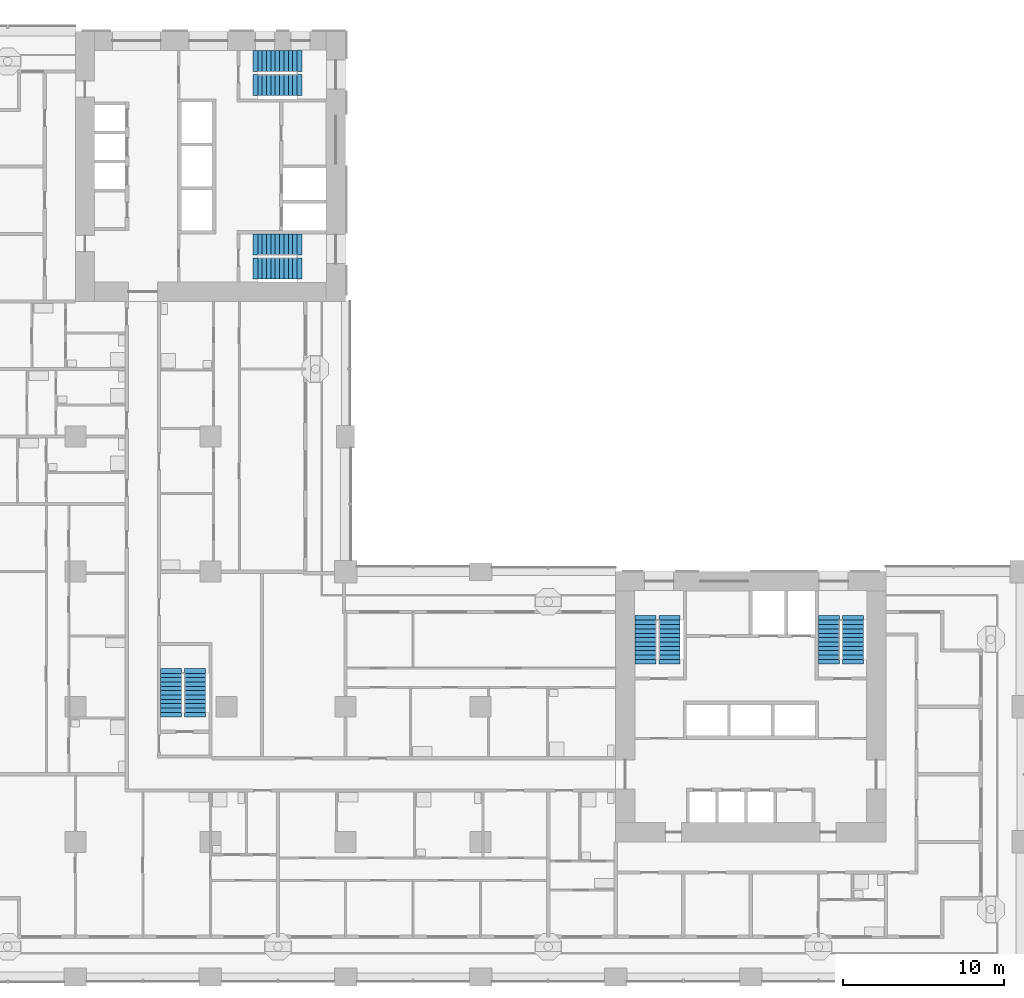
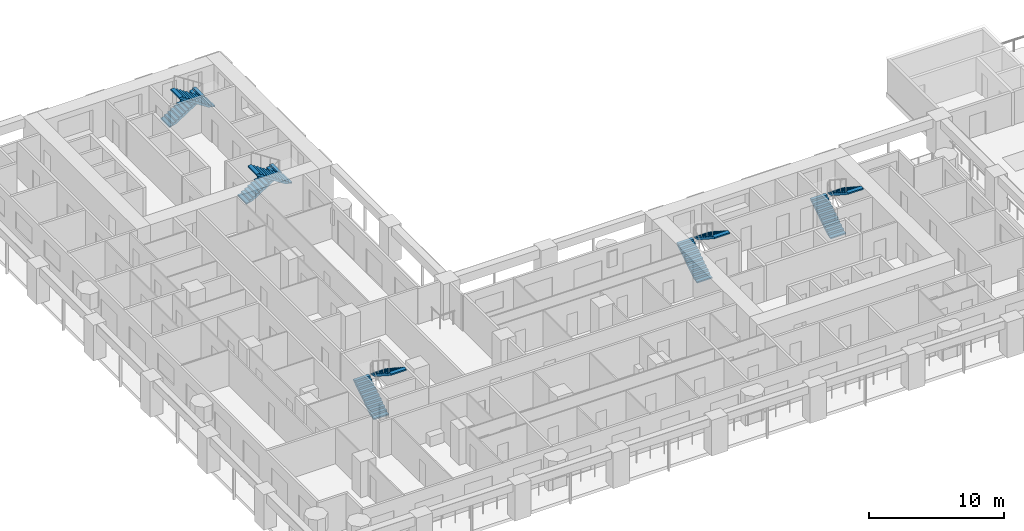
# One storey, part 12 of 23: 10 stair flights, 5 elements without a shape of their own.
"""IFC4 building model written with IfcOpenShell, lengths in metres."""

from ifc_helpers import new_model, si_unit, direction, frame, origin, place, context, subcontext, project, spatial, polyline, outline, extrude, material, type_object, element, aggregate, save


model = new_model("IFC4")

# Units and contexts
model_context = context("Model", 3, precision=1e-05, world=origin(), true_north=direction((0.0, 1.0)))
body_context = subcontext(model_context, "Body", "Model", "MODEL_VIEW")
ifc_project = project(units=[si_unit("LENGTHUNIT", "METRE"), si_unit("AREAUNIT", "SQUARE_METRE"), si_unit("VOLUMEUNIT", "CUBIC_METRE"), si_unit("PLANEANGLEUNIT", "RADIAN"), si_unit("MASSUNIT", "GRAM", prefix="KILO")], contexts=[model_context])

# Site, building, storey
site_placement = place(None, origin())
site = spatial("IfcSite", under=ifc_project, at=site_placement, CompositionType="ELEMENT")
building_placement = place(site_placement, origin())
building = spatial("IfcBuilding", under=site, at=building_placement, Name="Vermilion Gate Residences", CompositionType="ELEMENT")
storey_placement = place(building_placement, frame((0.0, 0.0, 25.199951171875)))
storey = spatial("IfcBuildingStorey", under=building, at=storey_placement, Name="L04", CompositionType="ELEMENT", Elevation=25.199951171875)

# Stair, stair flights
ifc_material_1 = material(Name="Concrete C50", Category="concrete")
stair_type = type_object("IfcStairType", Name="SPECIAL ESCAPE STAIR 1300", PredefinedType="HALF_TURN_STAIR", material=ifc_material_1)
stair_1_placement = place(storey_placement, origin())
stair_1 = element("IfcStair", 1, at=stair_1_placement, inside=storey, type_object=stair_type, Name="Special escape stair STA1-04", PredefinedType="HALF_TURN_STAIR")
ifc_material_2 = material(Name="Concrete C50", Category="concrete")
stair_flight_type = type_object("IfcStairFlightType", Name="STAIR FLIGHT 1300 RC C50", PredefinedType="STRAIGHT", material=ifc_material_2)
stair_flight_1_placement = place(storey_placement, frame((43.85009765625, 19.75, 0.0), z_axis=(0.0, 0.0, 1.0), x_axis=(0.0, 1.0, 0.0)))
stair_flight_1 = element("IfcStairFlight", 2, at=stair_flight_1_placement, type_object=stair_flight_type, Name="STA1-04 flight 1", NumberOfRisers=10, NumberOfTreads=9, PredefinedType="STRAIGHT", RiserHeight=0.175, TreadLength=0.27, context=body_context, shape_type="SweptSolid", body=[
    extrude(outline(polyline([(-0.300048828125, -0.14990234375), (-0.300048828125, -0.030029296875), (0.0, 0.0), (0.0, 0.175048828125), (0.27001953125, 0.175048828125), (0.27001953125, 0.35009765625), (0.5400390625, 0.35009765625), (0.5400390625, 0.52490234375), (0.81005859375, 0.52490234375), (0.81005859375, 0.699951171875), (1.080078125, 0.699951171875), (1.080078125, 0.875), (1.35009765625, 0.875), (1.35009765625, 1.050048828125), (1.6201171875, 1.050048828125), (1.6201171875, 1.22509765625), (1.889892578125, 1.22509765625), (1.889892578125, 1.39990234375), (2.159912109375, 1.39990234375), (2.159912109375, 1.574951171875), (2.429931640625, 1.574951171875), (2.429931640625, 1.75), (2.72998046875, 1.719970703125), (2.72998046875, 1.60009765625), (2.429931640625, 1.396484375), (0.275634765625, 0.0), (-0.300048828125, -0.14990234375)])), frame((0.0, 0.64990234375, 0.0), z_axis=(0.0, -1.0, 0.0), x_axis=(1.0, 0.0, 0.0)), (0.0, 0.0, 1.0), 1.300048828125),
])
stair_flight_2_placement = place(storey_placement, frame((45.35009765625, 22.179931640625, 1.75), z_axis=(0.0, 0.0, 1.0), x_axis=(0.0, -1.0, 0.0)))
stair_flight_2 = element("IfcStairFlight", 3, at=stair_flight_2_placement, type_object=stair_flight_type, Name="STA1-04 flight 2", NumberOfRisers=10, NumberOfTreads=9, PredefinedType="STRAIGHT", RiserHeight=0.175, TreadLength=0.27, context=body_context, shape_type="SweptSolid", body=[
    extrude(outline(polyline([(-0.300048828125, -0.14990234375), (-0.300048828125, -0.030029296875), (0.0, 0.0), (0.0, 0.175048828125), (0.27001953125, 0.175048828125), (0.27001953125, 0.35009765625), (0.5400390625, 0.35009765625), (0.5400390625, 0.52490234375), (0.81005859375, 0.52490234375), (0.81005859375, 0.699951171875), (1.080078125, 0.699951171875), (1.080078125, 0.875), (1.35009765625, 0.875), (1.35009765625, 1.050048828125), (1.6201171875, 1.050048828125), (1.6201171875, 1.22509765625), (1.889892578125, 1.22509765625), (1.889892578125, 1.39990234375), (2.159912109375, 1.39990234375), (2.159912109375, 1.574951171875), (2.429931640625, 1.574951171875), (2.429931640625, 1.75), (2.72998046875, 1.719970703125), (2.72998046875, 1.60009765625), (2.429931640625, 1.396484375), (0.275634765625, 0.0), (-0.300048828125, -0.14990234375)])), frame((0.0, 0.64990234375, 0.0), z_axis=(0.0, -1.0, 0.0), x_axis=(1.0, 0.0, 0.0)), (0.0, 0.0, 1.0), 1.300048828125),
])
aggregate(stair_1, [stair_flight_1, stair_flight_2])

stair_2_placement = place(storey_placement, origin())
stair_2 = element("IfcStair", 4, at=stair_2_placement, inside=storey, type_object=stair_type, Name="Special escape stair STA2-04", PredefinedType="HALF_TURN_STAIR")
stair_flight_3_placement = place(storey_placement, frame((55.25, 19.75, 0.0), z_axis=(0.0, 0.0, 1.0), x_axis=(0.0, 1.0, 0.0)))
stair_flight_3 = element("IfcStairFlight", 5, at=stair_flight_3_placement, type_object=stair_flight_type, Name="STA2-04 flight 1", NumberOfRisers=10, NumberOfTreads=9, PredefinedType="STRAIGHT", RiserHeight=0.175, TreadLength=0.27, context=body_context, shape_type="SweptSolid", body=[
    extrude(outline(polyline([(-0.300048828125, -0.14990234375), (-0.300048828125, -0.030029296875), (0.0, 0.0), (0.0, 0.175048828125), (0.27001953125, 0.175048828125), (0.27001953125, 0.35009765625), (0.5400390625, 0.35009765625), (0.5400390625, 0.52490234375), (0.81005859375, 0.52490234375), (0.81005859375, 0.699951171875), (1.080078125, 0.699951171875), (1.080078125, 0.875), (1.35009765625, 0.875), (1.35009765625, 1.050048828125), (1.6201171875, 1.050048828125), (1.6201171875, 1.22509765625), (1.889892578125, 1.22509765625), (1.889892578125, 1.39990234375), (2.159912109375, 1.39990234375), (2.159912109375, 1.574951171875), (2.429931640625, 1.574951171875), (2.429931640625, 1.75), (2.72998046875, 1.719970703125), (2.72998046875, 1.60009765625), (2.429931640625, 1.396484375), (0.275634765625, 0.0), (-0.300048828125, -0.14990234375)])), frame((0.0, 0.64990234375, 0.0), z_axis=(0.0, -1.0, 0.0), x_axis=(1.0, 0.0, 0.0)), (0.0, 0.0, 1.0), 1.300048828125),
])
stair_flight_4_placement = place(storey_placement, frame((56.75, 22.179931640625, 1.75), z_axis=(0.0, 0.0, 1.0), x_axis=(0.0, -1.0, 0.0)))
stair_flight_4 = element("IfcStairFlight", 6, at=stair_flight_4_placement, type_object=stair_flight_type, Name="STA2-04 flight 2", NumberOfRisers=10, NumberOfTreads=9, PredefinedType="STRAIGHT", RiserHeight=0.175, TreadLength=0.27, context=body_context, shape_type="SweptSolid", body=[
    extrude(outline(polyline([(-0.300048828125, -0.14990234375), (-0.300048828125, -0.030029296875), (0.0, 0.0), (0.0, 0.175048828125), (0.27001953125, 0.175048828125), (0.27001953125, 0.35009765625), (0.5400390625, 0.35009765625), (0.5400390625, 0.52490234375), (0.81005859375, 0.52490234375), (0.81005859375, 0.699951171875), (1.080078125, 0.699951171875), (1.080078125, 0.875), (1.35009765625, 0.875), (1.35009765625, 1.050048828125), (1.6201171875, 1.050048828125), (1.6201171875, 1.22509765625), (1.889892578125, 1.22509765625), (1.889892578125, 1.39990234375), (2.159912109375, 1.39990234375), (2.159912109375, 1.574951171875), (2.429931640625, 1.574951171875), (2.429931640625, 1.75), (2.72998046875, 1.719970703125), (2.72998046875, 1.60009765625), (2.429931640625, 1.396484375), (0.275634765625, 0.0), (-0.300048828125, -0.14990234375)])), frame((0.0, 0.64990234375, 0.0), z_axis=(0.0, -1.0, 0.0), x_axis=(1.0, 0.0, 0.0)), (0.0, 0.0, 1.0), 1.300048828125),
])
aggregate(stair_2, [stair_flight_3, stair_flight_4])

stair_3_placement = place(storey_placement, origin())
stair_3 = element("IfcStair", 7, at=stair_3_placement, inside=storey, type_object=stair_type, Name="Special escape stair STB1-04", PredefinedType="HALF_TURN_STAIR")
stair_flight_5_placement = place(storey_placement, frame((19.75, 56.949951171875, 0.0), z_axis=(0.0, 0.0, 1.0), x_axis=(1.0, 0.0, 0.0)))
stair_flight_5 = element("IfcStairFlight", 8, at=stair_flight_5_placement, type_object=stair_flight_type, Name="STB1-04 flight 1", NumberOfRisers=10, NumberOfTreads=9, PredefinedType="STRAIGHT", RiserHeight=0.175, TreadLength=0.27, context=body_context, shape_type="SweptSolid", body=[
    extrude(outline(polyline([(-0.300048828125, -0.14990234375), (-0.300048828125, -0.030029296875), (0.0, 0.0), (0.0, 0.175048828125), (0.27001953125, 0.175048828125), (0.27001953125, 0.35009765625), (0.5400390625, 0.35009765625), (0.5400390625, 0.52490234375), (0.81005859375, 0.52490234375), (0.81005859375, 0.699951171875), (1.080078125, 0.699951171875), (1.080078125, 0.875), (1.35009765625, 0.875), (1.35009765625, 1.050048828125), (1.6201171875, 1.050048828125), (1.6201171875, 1.22509765625), (1.889892578125, 1.22509765625), (1.889892578125, 1.39990234375), (2.159912109375, 1.39990234375), (2.159912109375, 1.574951171875), (2.429931640625, 1.574951171875), (2.429931640625, 1.75), (2.72998046875, 1.719970703125), (2.72998046875, 1.60009765625), (2.429931640625, 1.396484375), (0.275634765625, 0.0), (-0.300048828125, -0.14990234375)])), frame((0.0, 0.64990234375, 0.0), z_axis=(0.0, -1.0, 0.0), x_axis=(1.0, 0.0, 0.0)), (0.0, 0.0, 1.0), 1.300048828125),
])
stair_flight_6_placement = place(storey_placement, frame((22.179931640625, 55.449951171875, 1.75), z_axis=(0.0, 0.0, 1.0), x_axis=(-1.0, 0.0, 0.0)))
stair_flight_6 = element("IfcStairFlight", 9, at=stair_flight_6_placement, type_object=stair_flight_type, Name="STB1-04 flight 2", NumberOfRisers=10, NumberOfTreads=9, PredefinedType="STRAIGHT", RiserHeight=0.175, TreadLength=0.27, context=body_context, shape_type="SweptSolid", body=[
    extrude(outline(polyline([(-0.300048828125, -0.14990234375), (-0.300048828125, -0.030029296875), (0.0, 0.0), (0.0, 0.175048828125), (0.27001953125, 0.175048828125), (0.27001953125, 0.35009765625), (0.5400390625, 0.35009765625), (0.5400390625, 0.52490234375), (0.81005859375, 0.52490234375), (0.81005859375, 0.699951171875), (1.080078125, 0.699951171875), (1.080078125, 0.875), (1.35009765625, 0.875), (1.35009765625, 1.050048828125), (1.6201171875, 1.050048828125), (1.6201171875, 1.22509765625), (1.889892578125, 1.22509765625), (1.889892578125, 1.39990234375), (2.159912109375, 1.39990234375), (2.159912109375, 1.574951171875), (2.429931640625, 1.574951171875), (2.429931640625, 1.75), (2.72998046875, 1.719970703125), (2.72998046875, 1.60009765625), (2.429931640625, 1.396484375), (0.275634765625, 0.0), (-0.300048828125, -0.14990234375)])), frame((0.0, 0.64990234375, 0.0), z_axis=(0.0, -1.0, 0.0), x_axis=(1.0, 0.0, 0.0)), (0.0, 0.0, 1.0), 1.300048828125),
])
aggregate(stair_3, [stair_flight_5, stair_flight_6])

stair_4_placement = place(storey_placement, origin())
stair_4 = element("IfcStair", 10, at=stair_4_placement, inside=storey, type_object=stair_type, Name="Special escape stair STB2-04", PredefinedType="HALF_TURN_STAIR")
stair_flight_7_placement = place(storey_placement, frame((19.75, 45.550048828125, 0.0), z_axis=(0.0, 0.0, 1.0), x_axis=(1.0, 0.0, 0.0)))
stair_flight_7 = element("IfcStairFlight", 11, at=stair_flight_7_placement, type_object=stair_flight_type, Name="STB2-04 flight 1", NumberOfRisers=10, NumberOfTreads=9, PredefinedType="STRAIGHT", RiserHeight=0.175, TreadLength=0.27, context=body_context, shape_type="SweptSolid", body=[
    extrude(outline(polyline([(-0.300048828125, -0.14990234375), (-0.300048828125, -0.030029296875), (0.0, 0.0), (0.0, 0.175048828125), (0.27001953125, 0.175048828125), (0.27001953125, 0.35009765625), (0.5400390625, 0.35009765625), (0.5400390625, 0.52490234375), (0.81005859375, 0.52490234375), (0.81005859375, 0.699951171875), (1.080078125, 0.699951171875), (1.080078125, 0.875), (1.35009765625, 0.875), (1.35009765625, 1.050048828125), (1.6201171875, 1.050048828125), (1.6201171875, 1.22509765625), (1.889892578125, 1.22509765625), (1.889892578125, 1.39990234375), (2.159912109375, 1.39990234375), (2.159912109375, 1.574951171875), (2.429931640625, 1.574951171875), (2.429931640625, 1.75), (2.72998046875, 1.719970703125), (2.72998046875, 1.60009765625), (2.429931640625, 1.396484375), (0.275634765625, 0.0), (-0.300048828125, -0.14990234375)])), frame((0.0, 0.64990234375, 0.0), z_axis=(0.0, -1.0, 0.0), x_axis=(1.0, 0.0, 0.0)), (0.0, 0.0, 1.0), 1.300048828125),
])
stair_flight_8_placement = place(storey_placement, frame((22.179931640625, 44.050048828125, 1.75), z_axis=(0.0, 0.0, 1.0), x_axis=(-1.0, 0.0, 0.0)))
stair_flight_8 = element("IfcStairFlight", 12, at=stair_flight_8_placement, type_object=stair_flight_type, Name="STB2-04 flight 2", NumberOfRisers=10, NumberOfTreads=9, PredefinedType="STRAIGHT", RiserHeight=0.175, TreadLength=0.27, context=body_context, shape_type="SweptSolid", body=[
    extrude(outline(polyline([(-0.300048828125, -0.14990234375), (-0.300048828125, -0.030029296875), (0.0, 0.0), (0.0, 0.175048828125), (0.27001953125, 0.175048828125), (0.27001953125, 0.35009765625), (0.5400390625, 0.35009765625), (0.5400390625, 0.52490234375), (0.81005859375, 0.52490234375), (0.81005859375, 0.699951171875), (1.080078125, 0.699951171875), (1.080078125, 0.875), (1.35009765625, 0.875), (1.35009765625, 1.050048828125), (1.6201171875, 1.050048828125), (1.6201171875, 1.22509765625), (1.889892578125, 1.22509765625), (1.889892578125, 1.39990234375), (2.159912109375, 1.39990234375), (2.159912109375, 1.574951171875), (2.429931640625, 1.574951171875), (2.429931640625, 1.75), (2.72998046875, 1.719970703125), (2.72998046875, 1.60009765625), (2.429931640625, 1.396484375), (0.275634765625, 0.0), (-0.300048828125, -0.14990234375)])), frame((0.0, 0.64990234375, 0.0), z_axis=(0.0, -1.0, 0.0), x_axis=(1.0, 0.0, 0.0)), (0.0, 0.0, 1.0), 1.300048828125),
])
aggregate(stair_4, [stair_flight_7, stair_flight_8])

stair_5_placement = place(storey_placement, origin())
stair_5 = element("IfcStair", 13, at=stair_5_placement, inside=storey, type_object=stair_type, Name="Special escape stair STC1-04", PredefinedType="HALF_TURN_STAIR")
stair_flight_9_placement = place(storey_placement, frame((14.35009765625, 16.449951171875, 0.0), z_axis=(0.0, 0.0, 1.0), x_axis=(0.0, 1.0, 0.0)))
stair_flight_9 = element("IfcStairFlight", 14, at=stair_flight_9_placement, type_object=stair_flight_type, Name="STC1-04 flight 1", NumberOfRisers=10, NumberOfTreads=9, PredefinedType="STRAIGHT", RiserHeight=0.175, TreadLength=0.27, context=body_context, shape_type="SweptSolid", body=[
    extrude(outline(polyline([(-0.300048828125, -0.14990234375), (-0.300048828125, -0.030029296875), (0.0, 0.0), (0.0, 0.175048828125), (0.27001953125, 0.175048828125), (0.27001953125, 0.35009765625), (0.5400390625, 0.35009765625), (0.5400390625, 0.52490234375), (0.81005859375, 0.52490234375), (0.81005859375, 0.699951171875), (1.080078125, 0.699951171875), (1.080078125, 0.875), (1.35009765625, 0.875), (1.35009765625, 1.050048828125), (1.6201171875, 1.050048828125), (1.6201171875, 1.22509765625), (1.889892578125, 1.22509765625), (1.889892578125, 1.39990234375), (2.159912109375, 1.39990234375), (2.159912109375, 1.574951171875), (2.429931640625, 1.574951171875), (2.429931640625, 1.75), (2.72998046875, 1.719970703125), (2.72998046875, 1.60009765625), (2.429931640625, 1.396484375), (0.275634765625, 0.0), (-0.300048828125, -0.14990234375)])), frame((0.0, 0.64990234375, 0.0), z_axis=(0.0, -1.0, 0.0), x_axis=(1.0, 0.0, 0.0)), (0.0, 0.0, 1.0), 1.300048828125),
])
stair_flight_10_placement = place(storey_placement, frame((15.85009765625, 18.8798828125, 1.75), z_axis=(0.0, 0.0, 1.0), x_axis=(0.0, -1.0, 0.0)))
stair_flight_10 = element("IfcStairFlight", 15, at=stair_flight_10_placement, type_object=stair_flight_type, Name="STC1-04 flight 2", NumberOfRisers=10, NumberOfTreads=9, PredefinedType="STRAIGHT", RiserHeight=0.175, TreadLength=0.27, context=body_context, shape_type="SweptSolid", body=[
    extrude(outline(polyline([(-0.300048828125, -0.14990234375), (-0.300048828125, -0.030029296875), (0.0, 0.0), (0.0, 0.175048828125), (0.27001953125, 0.175048828125), (0.27001953125, 0.35009765625), (0.5400390625, 0.35009765625), (0.5400390625, 0.52490234375), (0.81005859375, 0.52490234375), (0.81005859375, 0.699951171875), (1.080078125, 0.699951171875), (1.080078125, 0.875), (1.35009765625, 0.875), (1.35009765625, 1.050048828125), (1.6201171875, 1.050048828125), (1.6201171875, 1.22509765625), (1.889892578125, 1.22509765625), (1.889892578125, 1.39990234375), (2.159912109375, 1.39990234375), (2.159912109375, 1.574951171875), (2.429931640625, 1.574951171875), (2.429931640625, 1.75), (2.72998046875, 1.719970703125), (2.72998046875, 1.60009765625), (2.429931640625, 1.396484375), (0.275634765625, 0.0), (-0.300048828125, -0.14990234375)])), frame((0.0, 0.64990234375, 0.0), z_axis=(0.0, -1.0, 0.0), x_axis=(1.0, 0.0, 0.0)), (0.0, 0.0, 1.0), 1.300048828125),
])
aggregate(stair_5, [stair_flight_9, stair_flight_10])

save(model, "model.ifc")
